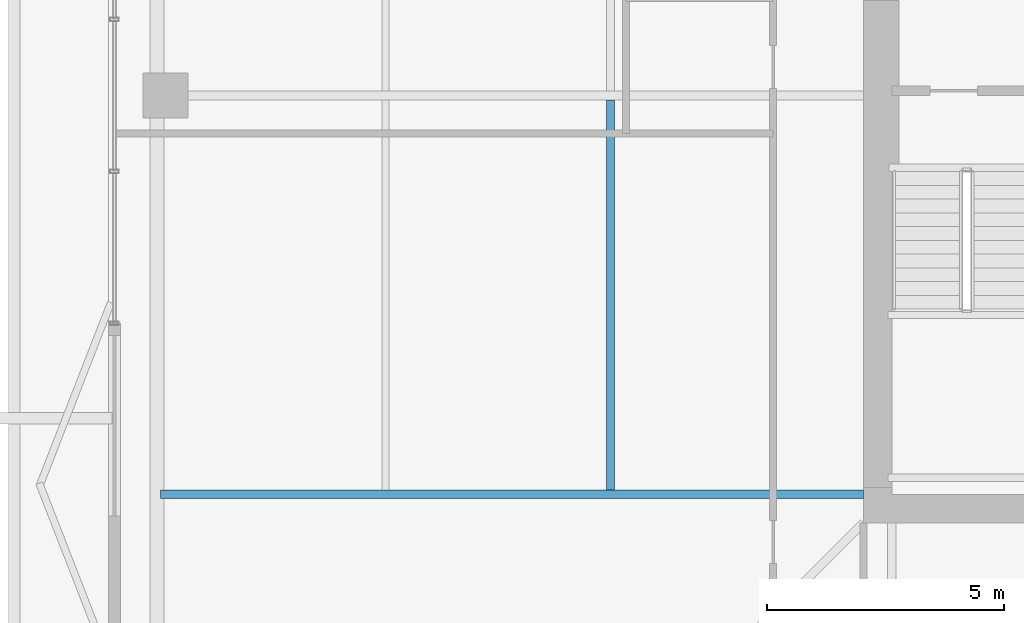
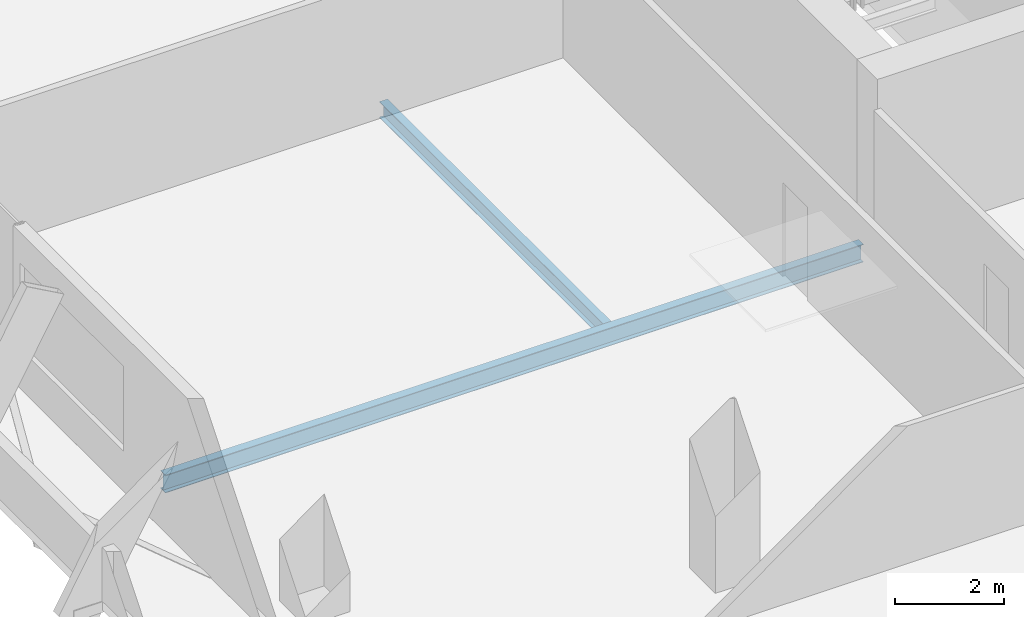
# One storey, part 5 of 17: 2 beams.
"""IFC4 building model written with IfcOpenShell, lengths in metres."""

from ifc_helpers import new_model, si_unit, direction, frame, origin, origin_2d, place, context, subcontext, project, spatial, i_section, extrude, material, material_profile, profile_set, type_object, element, save


model = new_model("IFC4")

# Units and contexts
model_context = context("Model", 3, precision=1e-05, world=origin(), true_north=direction((0.0, 1.0)))
body_context = subcontext(model_context, "Body", "Model", "MODEL_VIEW")
ifc_project = project(units=[si_unit("LENGTHUNIT", "METRE"), si_unit("AREAUNIT", "SQUARE_METRE"), si_unit("VOLUMEUNIT", "CUBIC_METRE"), si_unit("PLANEANGLEUNIT", "RADIAN"), si_unit("MASSUNIT", "GRAM", prefix="KILO")], contexts=[model_context])

# Site, building, storey
site_placement = place(None, origin())
site = spatial("IfcSite", under=ifc_project, at=site_placement, CompositionType="ELEMENT")
building_placement = place(site_placement, origin())
building = spatial("IfcBuilding", under=site, at=building_placement, Name="Belovzor Exchange Tower", CompositionType="ELEMENT")
storey_placement = place(building_placement, frame((0.0, 0.0, 246.60009765625)))
storey = spatial("IfcBuildingStorey", under=building, at=storey_placement, Name="L61", CompositionType="ELEMENT", Elevation=246.60009765625)

# Beams
ifc_material_1 = material(Name="Steel S355", Category="steel")
ifc_material_profile_1 = material_profile(ifc_material_1, i_section(OverallWidth=0.169921875, OverallDepth=0.360107421875, WebThickness=0.008056640625, FlangeThickness=0.0126953125, at=origin_2d()))
ifc_profile_set_1 = profile_set([ifc_material_profile_1], Name="Steel S355")
beam_type_1 = type_object("IfcBeamType", Name="Secondary Infill Floor Joist IPE 360", PredefinedType="BEAM", material=ifc_profile_set_1)
beam_1_placement = place(storey_placement, frame((14.471923828125, 20.489990234375, -0.43017578125), z_axis=(0.0, 1.0, 0.0), x_axis=(-1.0, 0.0, 0.0)))
element("IfcBeam", 1, at=beam_1_placement, inside=storey, type_object=beam_type_1, Name="FJ-360 Secondary Infill Floor Joist IPE 360", PredefinedType="BEAM", context=body_context, shape_type="SweptSolid", body=[
    extrude(i_section(OverallWidth=0.169921875, OverallDepth=0.360107421875, WebThickness=0.008056640625, FlangeThickness=0.0126953125, at=origin_2d()), origin(), (0.0, 0.0, 1.0), 8.219970703125),
])
ifc_material_2 = material(Name="Steel S355", Category="steel")
ifc_material_profile_2 = material_profile(ifc_material_2, i_section(OverallWidth=0.179931640625, OverallDepth=0.39990234375, WebThickness=0.008544921875, FlangeThickness=0.013427734375, at=origin_2d()))
ifc_profile_set_2 = profile_set([ifc_material_profile_2], Name="Steel S355")
beam_type_2 = type_object("IfcBeamType", Name="Zone 5-6 Radial Composite Floor Beam IPE 400", PredefinedType="BEAM", material=ifc_profile_set_2)
beam_2_placement = place(storey_placement, frame((19.800048828125, 20.39990234375, -0.4501953125), z_axis=(-1.0, 0.0, 0.0), x_axis=(0.0, -1.0, 0.0)))
element("IfcBeam", 2, at=beam_2_placement, inside=storey, type_object=beam_type_2, Name="FB-400 Zone 5-6 Radial Composite Floor Beam IPE 400", PredefinedType="BEAM", context=body_context, shape_type="SweptSolid", body=[
    extrude(i_section(OverallWidth=0.179931640625, OverallDepth=0.39990234375, WebThickness=0.008544921875, FlangeThickness=0.013427734375, at=origin_2d()), origin(), (0.0, 0.0, 1.0), 14.800048828125),
])

save(model, "model.ifc")
